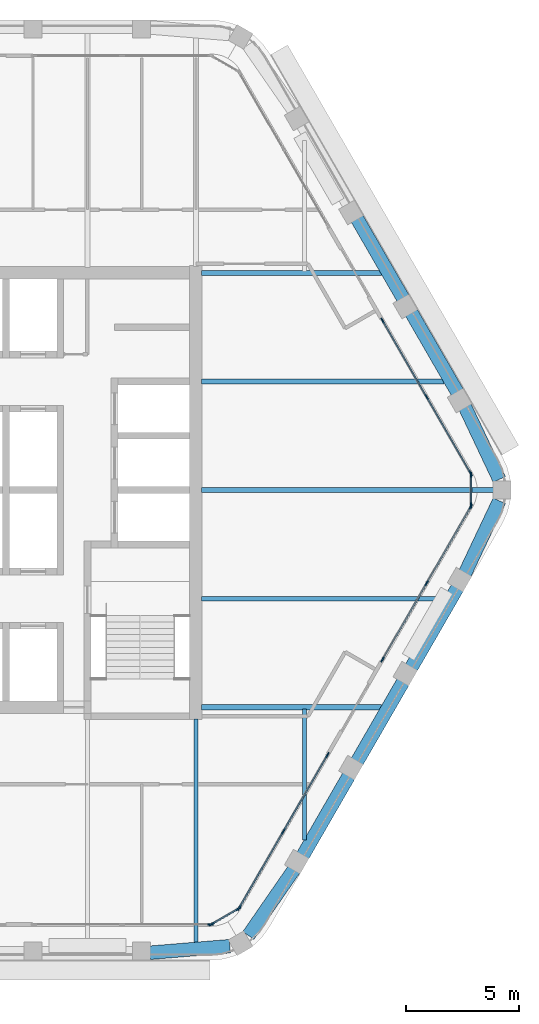
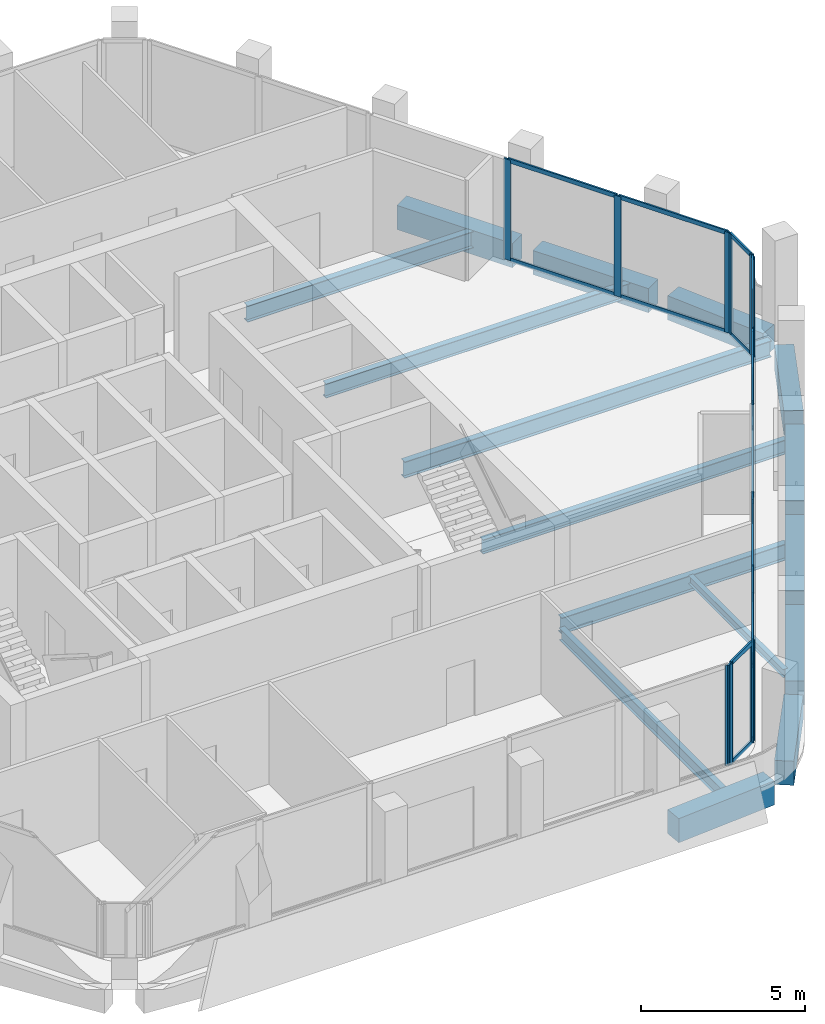
# One storey, part 4 of 13: 30 members, 16 beams, 6 elements without a shape of their own.
"""IFC4 building model written with IfcOpenShell, lengths in metres."""

from ifc_helpers import new_model, si_unit, direction, frame, origin, origin_2d, place, context, subcontext, project, spatial, rectangle, i_section, extrude, material, material_profile, profile_set, type_object, element, aggregate, save


model = new_model("IFC4")

# Units and contexts
model_context = context("Model", 3, precision=1e-05, world=origin(), true_north=direction((0.0, 1.0)))
body_context = subcontext(model_context, "Body", "Model", "MODEL_VIEW")
ifc_project = project(units=[si_unit("LENGTHUNIT", "METRE"), si_unit("AREAUNIT", "SQUARE_METRE"), si_unit("VOLUMEUNIT", "CUBIC_METRE"), si_unit("PLANEANGLEUNIT", "RADIAN"), si_unit("MASSUNIT", "GRAM", prefix="KILO")], contexts=[model_context])

# Site, building, storey
site_placement = place(None, origin())
site = spatial("IfcSite", under=ifc_project, at=site_placement, CompositionType="ELEMENT")
building_placement = place(site_placement, origin())
building = spatial("IfcBuilding", under=site, at=building_placement, Name="Kolab Exchange Tower", CompositionType="ELEMENT")
storey_placement = place(building_placement, frame((0.0, 0.0, 226.699951171875)))
storey = spatial("IfcBuildingStorey", under=building, at=storey_placement, Name="L49", CompositionType="ELEMENT", Elevation=226.699951171875)

# Beams
ifc_material_1 = material(Name="Steel S355", Category="steel")
ifc_material_profile_1 = material_profile(ifc_material_1, i_section(OverallWidth=0.1650390625, OverallDepth=0.31005859375, WebThickness=0.005859375, FlangeThickness=0.009765625, at=origin_2d()), Name="W310X39")
ifc_profile_set_1 = profile_set([ifc_material_profile_1], Name="Steel S355")
beam_type_1 = type_object("IfcBeamType", Name="FLOOR BEAM W310X39", PredefinedType="BEAM", material=ifc_profile_set_1)
beam_1_placement = place(storey_placement, frame((14.39990234375, -15.4677734375, -0.304931640625), z_axis=(0.0, 1.0, 0.0), x_axis=(-1.0, 0.0, 0.0)))
element("IfcBeam", 1, at=beam_1_placement, inside=storey, type_object=beam_type_1, Name="beam/L49/fr/018", PredefinedType="BEAM", context=body_context, shape_type="SweptSolid", body=[
    extrude(i_section(OverallWidth=0.1650390625, OverallDepth=0.31005859375, WebThickness=0.005859375, FlangeThickness=0.009765625, at=origin_2d()), origin(), (0.0, 0.0, 1.0), 5.793701171875),
])
ifc_material_profile_2 = material_profile(ifc_material_1, i_section(OverallWidth=0.18994140625, OverallDepth=0.45703125, WebThickness=0.009033203125, FlangeThickness=0.014404296875, at=origin_2d()), Name="W460X74")
ifc_profile_set_2 = profile_set([ifc_material_profile_2], Name="Steel S355")
beam_type_2 = type_object("IfcBeamType", Name="FLOOR BEAM W460X74", PredefinedType="BEAM", material=ifc_profile_set_2)
beam_2_placement = place(storey_placement, frame((9.60009765625, -20.027099609375, -0.37841796875), z_axis=(0.0, 1.0, 0.0), x_axis=(-1.0, 0.0, 0.0)))
element("IfcBeam", 2, at=beam_2_placement, inside=storey, type_object=beam_type_2, Name="beam/L49/fr/013", PredefinedType="BEAM", context=body_context, shape_type="SweptSolid", body=[
    extrude(i_section(OverallWidth=0.18994140625, OverallDepth=0.45703125, WebThickness=0.009033203125, FlangeThickness=0.014404296875, at=origin_2d()), origin(), (0.0, 0.0, 1.0), 9.9169921875),
])
ifc_material_profile_3 = material_profile(ifc_material_1, i_section(OverallWidth=0.208984375, OverallDepth=0.532958984375, WebThickness=0.01025390625, FlangeThickness=0.015625, at=origin_2d()), Name="W530X92")
ifc_profile_set_3 = profile_set([ifc_material_profile_3], Name="Steel S355")
beam_type_3 = type_object("IfcBeamType", Name="FLOOR BEAM W530X92", PredefinedType="BEAM", material=ifc_profile_set_3)
for number, where, z_axis, x_axis, name in (
    (3, (9.8349609375, -4.800048828125, -0.41650390625), (1.0, 0.0, 0.0), (0.0, 1.0, 0.0), "beam/L49/fr/015"),
    (4, (9.8349609375, 4.800048828125, -0.41650390625), (1.0, 0.0, 0.0), (0.0, 1.0, 0.0), "beam/L49/fr/017"),
):
    element("IfcBeam", number, at=place(storey_placement, frame(where, z_axis=z_axis, x_axis=x_axis)), inside=storey, type_object=beam_type_3, Name=name, PredefinedType="BEAM", context=body_context, shape_type="SweptSolid", body=[
        extrude(i_section(OverallWidth=0.208984375, OverallDepth=0.532958984375, WebThickness=0.01025390625, FlangeThickness=0.015625, at=origin_2d()), origin(), (0.0, 0.0, 1.0), 10.740966796875),
    ])
ifc_material_profile_4 = material_profile(ifc_material_1, i_section(OverallWidth=0.22802734375, OverallDepth=0.60791015625, WebThickness=0.01123046875, FlangeThickness=0.017333984375, at=origin_2d()), Name="W610X113")
ifc_profile_set_4 = profile_set([ifc_material_profile_4], Name="Steel S355")
beam_type_4 = type_object("IfcBeamType", Name="FLOOR BEAM W610X113", PredefinedType="BEAM", material=ifc_profile_set_4)
beam_3_placement = place(storey_placement, frame((9.8349609375, 0.0, -0.453857421875), z_axis=(1.0, 0.0, 0.0), x_axis=(0.0, 1.0, 0.0)))
element("IfcBeam", 5, at=beam_3_placement, inside=storey, type_object=beam_type_4, Name="beam/L49/fr/016", PredefinedType="BEAM", context=body_context, shape_type="SweptSolid", body=[
    extrude(i_section(OverallWidth=0.22802734375, OverallDepth=0.60791015625, WebThickness=0.01123046875, FlangeThickness=0.017333984375, at=origin_2d()), origin(), (0.0, 0.0, 1.0), 12.94091796875),
])
ifc_material_profile_5 = material_profile(ifc_material_1, i_section(OverallWidth=0.22802734375, OverallDepth=0.60791015625, WebThickness=0.01123046875, FlangeThickness=0.017333984375, at=origin_2d()), Name="W610X113")
ifc_profile_set_5 = profile_set([ifc_material_profile_5], Name="Steel S355")
beam_type_5 = type_object("IfcBeamType", Name="FLOOR GIRDER W610X113", PredefinedType="BEAM", material=ifc_profile_set_5)
for number, where, z_axis, x_axis, name in (
    (6, (9.8349609375, -9.60009765625, -0.453857421875), (1.0, 0.0, 0.0), (0.0, 1.0, 0.0), "beam/L49/gd/002"),
    (7, (9.8349609375, 9.60009765625, -0.453857421875), (1.0, 0.0, 0.0), (0.0, 1.0, 0.0), "beam/L49/gd/003"),
):
    element("IfcBeam", number, at=place(storey_placement, frame(where, z_axis=z_axis, x_axis=x_axis)), inside=storey, type_object=beam_type_5, Name=name, PredefinedType="BEAM", context=body_context, shape_type="SweptSolid", body=[
        extrude(i_section(OverallWidth=0.22802734375, OverallDepth=0.60791015625, WebThickness=0.01123046875, FlangeThickness=0.017333984375, at=origin_2d()), origin(), (0.0, 0.0, 1.0), 7.9697265625),
    ])
ifc_material_2 = material(Name="Concrete C50/60", Category="concrete")
ifc_material_profile_6 = material_profile(ifc_material_2, rectangle(XDim=0.60009765625, YDim=0.89990234375, at=origin_2d()), Name="RC600X900")
ifc_profile_set_6 = profile_set([ifc_material_profile_6], Name="Concrete C50/60")
beam_type_6 = type_object("IfcBeamType", Name="SPANDREL BEAM 600X900 C50/60", PredefinedType="BEAM", material=ifc_profile_set_6)
for number, where, z_axis, x_axis, name in (
    (8, (16.72021484375, 12.009033203125, -0.599853515625), (0.500000428765, -0.866025156237, 0.0), (0.866025156237, 0.500000428765, 0.0), "beam/L49/sp/F2-03"),
    (9, (19.1201171875, 7.85205078125, -0.599853515625), (0.500000428765, -0.866025156237, 0.0), (0.866025156237, 0.500000428765, 0.0), "beam/L49/sp/F2-04"),
):
    element("IfcBeam", number, at=place(storey_placement, frame(where, z_axis=z_axis, x_axis=x_axis)), inside=storey, type_object=beam_type_6, Name=name, PredefinedType="BEAM", context=body_context, shape_type="SweptSolid", body=[
        extrude(rectangle(XDim=0.60009765625, YDim=0.89990234375, at=origin_2d()), origin(), (0.0, 0.0, 1.0), 4.080078125),
    ])
for number, where, z_axis, x_axis, name in (
    (10, (21.49462890625, 3.68017578125, -0.599853515625), (0.427707770851, -0.903917066303, 0.0), (0.903917066303, 0.427707770851, 0.0), "beam/L49/sp/F2-05"),
    (11, (23.012451171875, -0.472412109375, -0.599853515625), (-0.427707770851, -0.903917066303, 0.0), (0.903917066303, -0.427707770851, 0.0), "beam/L49/sp/F3-01"),
):
    element("IfcBeam", number, at=place(storey_placement, frame(where, z_axis=z_axis, x_axis=x_axis)), inside=storey, type_object=beam_type_6, Name=name, PredefinedType="BEAM", context=body_context, shape_type="SweptSolid", body=[
        extrude(rectangle(XDim=0.60009765625, YDim=0.89990234375, at=origin_2d()), origin(), (0.0, 0.0, 1.0), 3.548828125),
    ])
for number, where, z_axis, x_axis, name in (
    (12, (21.16015625, -4.318603515625, -0.599853515625), (-0.500000428765, -0.866025156237, 0.0), (0.866025156237, -0.500000428765, 0.0), "beam/L49/sp/F3-02"),
    (13, (18.76025390625, -8.4755859375, -0.599853515625), (-0.500000428765, -0.866025156237, 0.0), (0.866025156237, -0.500000428765, 0.0), "beam/L49/sp/F3-03"),
):
    element("IfcBeam", number, at=place(storey_placement, frame(where, z_axis=z_axis, x_axis=x_axis)), inside=storey, type_object=beam_type_6, Name=name, PredefinedType="BEAM", context=body_context, shape_type="SweptSolid", body=[
        extrude(rectangle(XDim=0.60009765625, YDim=0.89990234375, at=origin_2d()), origin(), (0.0, 0.0, 1.0), 4.080078125),
    ])
beam_4_placement = place(storey_placement, frame((16.360107421875, -12.632568359375, -0.599853515625), z_axis=(-0.499955548806, -0.866051066172, 0.0), x_axis=(0.866051066172, -0.499955548806, 0.0)))
element("IfcBeam", 14, at=beam_4_placement, inside=storey, type_object=beam_type_6, Name="beam/L49/sp/F3-04", PredefinedType="BEAM", context=body_context, shape_type="SweptSolid", body=[
    extrude(rectangle(XDim=0.60009765625, YDim=0.89990234375, at=origin_2d()), origin(), (0.0, 0.0, 1.0), 4.079833984375),
])
for number, where, z_axis, x_axis, name in (
    (15, (13.9345703125, -16.77490234375, -0.599853515625), (-0.569016782231, -0.822325909564, 0.0), (0.822325909564, -0.569016782231, 0.0), "beam/L49/sp/F3-05"),
    (16, (11.09716796875, -20.16552734375, -0.599853515625), (-0.996666146873, -0.081587938307, 0.0), (0.081587938307, -0.996666146873, 0.0), "beam/L49/sp/F4-01"),
):
    element("IfcBeam", number, at=place(storey_placement, frame(where, z_axis=z_axis, x_axis=x_axis)), inside=storey, type_object=beam_type_6, Name=name, PredefinedType="BEAM", context=body_context, shape_type="SweptSolid", body=[
        extrude(rectangle(XDim=0.60009765625, YDim=0.89990234375, at=origin_2d()), origin(), (0.0, 0.0, 1.0), 3.548828125),
    ])

# Curtain wall, members
ifc_material_3 = material(Name="Aluminium EN AW-6063 T6", Category="aluminium")
curtain_wall_type = type_object("IfcCurtainWallType", Name="UNITISED HIGH ZONE CURTAIN WALL", PredefinedType="NOTDEFINED", material=ifc_material_3)
curtain_wall_1_placement = place(storey_placement, origin())
curtain_wall_1 = element("IfcCurtainWall", 17, at=curtain_wall_1_placement, inside=storey, type_object=curtain_wall_type, Name="cw/L49/F2-2", PredefinedType="NOTDEFINED")
ifc_material_profile_7 = material_profile(ifc_material_3, rectangle(XDim=0.06005859375, YDim=0.239990234375, at=origin_2d()), Name="RECT 60X240")
ifc_profile_set_7 = profile_set([ifc_material_profile_7], Name="Aluminium EN AW-6063 T6")
member_type_1 = type_object("IfcMemberType", Name="UNITISED HIGH ZONE MULLION 60 X 240", PredefinedType="MULLION", material=ifc_profile_set_7)
member_1_placement = place(storey_placement, frame((17.8466796875, 7.497802734375, 0.0), z_axis=(0.0, 0.0, 1.0), x_axis=(0.866025440524, 0.499999936366, 0.0)))
member_1 = element("IfcMember", 18, at=member_1_placement, type_object=member_type_1, Name="CW4 mullion 1", PredefinedType="MULLION", context=body_context, shape_type="SweptSolid", body=[
    extrude(rectangle(XDim=0.06005859375, YDim=0.239990234375, at=origin_2d()), origin(), (0.0, 0.0, 1.0), 3.75),
])
member_2_placement = place(storey_placement, frame((19.798583984375, 4.116943359375, 0.0), z_axis=(0.0, 0.0, 1.0), x_axis=(0.866025440524, 0.499999936366, 0.0)))
member_2 = element("IfcMember", 19, at=member_2_placement, type_object=member_type_1, Name="CW4 mullion 2", PredefinedType="MULLION", context=body_context, shape_type="SweptSolid", body=[
    extrude(rectangle(XDim=0.06005859375, YDim=0.239990234375, at=origin_2d()), origin(), (0.0, 0.0, 1.0), 3.75),
])
member_3_placement = place(storey_placement, frame((21.750732421875, 0.736083984375, 0.0), z_axis=(0.0, 0.0, 1.0), x_axis=(0.866025440524, 0.499999936366, 0.0)))
member_3 = element("IfcMember", 20, at=member_3_placement, type_object=member_type_1, Name="CW4 mullion 3", PredefinedType="MULLION", context=body_context, shape_type="SweptSolid", body=[
    extrude(rectangle(XDim=0.06005859375, YDim=0.239990234375, at=origin_2d()), origin(), (0.0, 0.0, 1.0), 3.75),
])

curtain_wall_2_placement = place(storey_placement, origin())
curtain_wall_2 = element("IfcCurtainWall", 21, at=curtain_wall_2_placement, inside=storey, type_object=curtain_wall_type, Name="cw/L49/F3-1", PredefinedType="NOTDEFINED")
member_4_placement = place(storey_placement, frame((21.750732421875, -0.736083984375, 0.0), z_axis=(0.0, 0.0, 1.0), x_axis=(0.866025440524, -0.499999936366, 0.0)))
member_4 = element("IfcMember", 22, at=member_4_placement, type_object=member_type_1, Name="CW4 mullion 1", PredefinedType="MULLION", context=body_context, shape_type="SweptSolid", body=[
    extrude(rectangle(XDim=0.06005859375, YDim=0.239990234375, at=origin_2d()), origin(), (0.0, 0.0, 1.0), 3.75),
])
member_5_placement = place(storey_placement, frame((19.798583984375, -4.116943359375, 0.0), z_axis=(0.0, 0.0, 1.0), x_axis=(0.866025440524, -0.499999936366, 0.0)))
member_5 = element("IfcMember", 23, at=member_5_placement, type_object=member_type_1, Name="CW4 mullion 2", PredefinedType="MULLION", context=body_context, shape_type="SweptSolid", body=[
    extrude(rectangle(XDim=0.06005859375, YDim=0.239990234375, at=origin_2d()), origin(), (0.0, 0.0, 1.0), 3.75),
])
member_6_placement = place(storey_placement, frame((17.8466796875, -7.497802734375, 0.0), z_axis=(0.0, 0.0, 1.0), x_axis=(0.866025440524, -0.499999936366, 0.0)))
member_6 = element("IfcMember", 24, at=member_6_placement, type_object=member_type_1, Name="CW4 mullion 3", PredefinedType="MULLION", context=body_context, shape_type="SweptSolid", body=[
    extrude(rectangle(XDim=0.06005859375, YDim=0.239990234375, at=origin_2d()), origin(), (0.0, 0.0, 1.0), 3.75),
])

curtain_wall_3_placement = place(storey_placement, origin())
curtain_wall_3 = element("IfcCurtainWall", 25, at=curtain_wall_3_placement, inside=storey, type_object=curtain_wall_type, Name="cw/L49/F3-2", PredefinedType="NOTDEFINED")
member_7_placement = place(storey_placement, frame((15.416748046875, -11.706787109375, 0.0), z_axis=(0.0, 0.0, 1.0), x_axis=(0.866025385493, -0.500000031681, 0.0)))
member_7 = element("IfcMember", 26, at=member_7_placement, type_object=member_type_1, Name="CW4 mullion 1", PredefinedType="MULLION", context=body_context, shape_type="SweptSolid", body=[
    extrude(rectangle(XDim=0.06005859375, YDim=0.239990234375, at=origin_2d()), origin(), (0.0, 0.0, 1.0), 3.75),
])
member_8_placement = place(storey_placement, frame((13.464599609375, -15.087646484375, 0.0), z_axis=(0.0, 0.0, 1.0), x_axis=(0.866025385493, -0.500000031681, 0.0)))
member_8 = element("IfcMember", 27, at=member_8_placement, type_object=member_type_1, Name="CW4 mullion 2", PredefinedType="MULLION", context=body_context, shape_type="SweptSolid", body=[
    extrude(rectangle(XDim=0.06005859375, YDim=0.239990234375, at=origin_2d()), origin(), (0.0, 0.0, 1.0), 3.75),
])
member_9_placement = place(storey_placement, frame((11.5126953125, -18.46875, 0.0), z_axis=(0.0, 0.0, 1.0), x_axis=(0.866025385493, -0.500000031681, 0.0)))
member_9 = element("IfcMember", 28, at=member_9_placement, type_object=member_type_1, Name="CW4 mullion 3", PredefinedType="MULLION", context=body_context, shape_type="SweptSolid", body=[
    extrude(rectangle(XDim=0.06005859375, YDim=0.239990234375, at=origin_2d()), origin(), (0.0, 0.0, 1.0), 3.75),
])

# Curtain wall, member
curtain_wall_4_placement = place(storey_placement, origin())
curtain_wall_4 = element("IfcCurtainWall", 29, at=curtain_wall_4_placement, inside=storey, type_object=curtain_wall_type, Name="cw/L49/F4-1", PredefinedType="NOTDEFINED")
member_10_placement = place(storey_placement, frame((10.238037109375, -19.20458984375, 0.0), z_axis=(0.0, 0.0, 1.0), x_axis=(0.0, -1.0, 0.0)))
member_10 = element("IfcMember", 30, at=member_10_placement, type_object=member_type_1, Name="CW4 mullion 1", PredefinedType="MULLION", context=body_context, shape_type="SweptSolid", body=[
    extrude(rectangle(XDim=0.06005859375, YDim=0.239990234375, at=origin_2d()), origin(), (0.0, 0.0, 1.0), 3.75),
])
aggregate(curtain_wall_4, [member_10])

# Curtain wall, members
curtain_wall_5_placement = place(storey_placement, origin())
curtain_wall_5 = element("IfcCurtainWall", 31, at=curtain_wall_5_placement, inside=storey, type_object=curtain_wall_type, Name="cw/L49/F2F3-corner", PredefinedType="NOTDEFINED")
member_11_placement = place(storey_placement, frame((21.765625, 0.679931640625, 0.0), z_axis=(0.0, 0.0, 1.0), x_axis=(1.0, 0.0, 0.0)))
member_11 = element("IfcMember", 32, at=member_11_placement, type_object=member_type_1, Name="CW4 mullion 1", PredefinedType="MULLION", context=body_context, shape_type="SweptSolid", body=[
    extrude(rectangle(XDim=0.06005859375, YDim=0.239990234375, at=origin_2d()), origin(), (0.0, 0.0, 1.0), 3.75),
])
member_12_placement = place(storey_placement, frame((21.765625, -0.679931640625, 0.0), z_axis=(0.0, 0.0, 1.0), x_axis=(1.0, 0.0, 0.0)))
member_12 = element("IfcMember", 33, at=member_12_placement, type_object=member_type_1, Name="CW4 mullion 2", PredefinedType="MULLION", context=body_context, shape_type="SweptSolid", body=[
    extrude(rectangle(XDim=0.06005859375, YDim=0.239990234375, at=origin_2d()), origin(), (0.0, 0.0, 1.0), 3.75),
])

curtain_wall_6_placement = place(storey_placement, origin())
curtain_wall_6 = element("IfcCurtainWall", 34, at=curtain_wall_6_placement, inside=storey, type_object=curtain_wall_type, Name="cw/L49/F3F4-corner", PredefinedType="NOTDEFINED")
member_13_placement = place(storey_placement, frame((11.4716796875, -18.509521484375, 0.0), z_axis=(0.0, 0.0, 1.0), x_axis=(0.50000002237, -0.866025390869, 0.0)))
member_13 = element("IfcMember", 35, at=member_13_placement, type_object=member_type_1, Name="CW4 mullion 1", PredefinedType="MULLION", context=body_context, shape_type="SweptSolid", body=[
    extrude(rectangle(XDim=0.06005859375, YDim=0.239990234375, at=origin_2d()), origin(), (0.0, 0.0, 1.0), 3.75),
])
member_14_placement = place(storey_placement, frame((10.2939453125, -19.189697265625, 0.0), z_axis=(0.0, 0.0, 1.0), x_axis=(0.50000002237, -0.866025390869, 0.0)))
member_14 = element("IfcMember", 36, at=member_14_placement, type_object=member_type_1, Name="CW4 mullion 2", PredefinedType="MULLION", context=body_context, shape_type="SweptSolid", body=[
    extrude(rectangle(XDim=0.06005859375, YDim=0.239990234375, at=origin_2d()), origin(), (0.0, 0.0, 1.0), 3.75),
])

# Member
ifc_material_profile_8 = material_profile(ifc_material_3, rectangle(XDim=0.06005859375, YDim=0.159912109375, at=origin_2d()), Name="RECT 60X160")
ifc_profile_set_8 = profile_set([ifc_material_profile_8], Name="Aluminium EN AW-6063 T6")
member_type_2 = type_object("IfcMemberType", Name="UNITISED HIGH ZONE TRANSOM 60 X 160", PredefinedType="USERDEFINED", material=ifc_profile_set_8)
member_15_placement = place(storey_placement, frame((17.861572265625, 7.471923828125, 0.030029296875), z_axis=(0.500011990396, -0.866018481016, 0.0), x_axis=(0.866018481016, 0.500011990396, 0.0)))
member_15 = element("IfcMember", 37, at=member_15_placement, type_object=member_type_2, Name="CW4 transom 1.1", ObjectType="TRANSOM", PredefinedType="USERDEFINED", context=body_context, shape_type="SweptSolid", body=[
    extrude(rectangle(XDim=0.06005859375, YDim=0.159912109375, at=origin_2d()), origin(), (0.0, 0.0, 1.0), 3.84423828125),
])

member_16_placement = place(storey_placement, frame((17.861572265625, 7.471923828125, 3.719970703125), z_axis=(0.500011990396, -0.866018481016, 0.0), x_axis=(0.866018481016, 0.500011990396, 0.0)))
member_16 = element("IfcMember", 38, at=member_16_placement, type_object=member_type_2, Name="CW4 transom 1.2", ObjectType="TRANSOM", PredefinedType="USERDEFINED", context=body_context, shape_type="SweptSolid", body=[
    extrude(rectangle(XDim=0.06005859375, YDim=0.159912109375, at=origin_2d()), origin(), (0.0, 0.0, 1.0), 3.84423828125),
])

member_17_placement = place(storey_placement, frame((19.813720703125, 4.0908203125, 0.030029296875), z_axis=(0.499991857942, -0.866030104553, 0.0), x_axis=(0.866030104553, 0.499991857942, 0.0)))
member_17 = element("IfcMember", 39, at=member_17_placement, type_object=member_type_2, Name="CW4 transom 2.1", ObjectType="TRANSOM", PredefinedType="USERDEFINED", context=body_context, shape_type="SweptSolid", body=[
    extrude(rectangle(XDim=0.06005859375, YDim=0.159912109375, at=origin_2d()), origin(), (0.0, 0.0, 1.0), 3.84375),
])

member_18_placement = place(storey_placement, frame((19.813720703125, 4.0908203125, 3.719970703125), z_axis=(0.499991857942, -0.866030104553, 0.0), x_axis=(0.866030104553, 0.499991857942, 0.0)))
member_18 = element("IfcMember", 40, at=member_18_placement, type_object=member_type_2, Name="CW4 transom 2.2", ObjectType="TRANSOM", PredefinedType="USERDEFINED", context=body_context, shape_type="SweptSolid", body=[
    extrude(rectangle(XDim=0.06005859375, YDim=0.159912109375, at=origin_2d()), origin(), (0.0, 0.0, 1.0), 3.84375),
])

aggregate(curtain_wall_1, [member_1, member_2, member_3, member_15, member_16, member_17, member_18])

member_19_placement = place(storey_placement, frame((21.735595703125, -0.761962890625, 0.030029296875), z_axis=(-0.499991857942, -0.866030104553, 0.0), x_axis=(0.866030104553, -0.499991857942, 0.0)))
member_19 = element("IfcMember", 41, at=member_19_placement, type_object=member_type_2, Name="CW4 transom 1.1", ObjectType="TRANSOM", PredefinedType="USERDEFINED", context=body_context, shape_type="SweptSolid", body=[
    extrude(rectangle(XDim=0.06005859375, YDim=0.159912109375, at=origin_2d()), origin(), (0.0, 0.0, 1.0), 3.84375),
])

member_20_placement = place(storey_placement, frame((21.735595703125, -0.761962890625, 3.719970703125), z_axis=(-0.499991857942, -0.866030104553, 0.0), x_axis=(0.866030104553, -0.499991857942, 0.0)))
member_20 = element("IfcMember", 42, at=member_20_placement, type_object=member_type_2, Name="CW4 transom 1.2", ObjectType="TRANSOM", PredefinedType="USERDEFINED", context=body_context, shape_type="SweptSolid", body=[
    extrude(rectangle(XDim=0.06005859375, YDim=0.159912109375, at=origin_2d()), origin(), (0.0, 0.0, 1.0), 3.84375),
])

member_21_placement = place(storey_placement, frame((19.78369140625, -4.142822265625, 0.030029296875), z_axis=(-0.500011990396, -0.866018481016, 0.0), x_axis=(0.866018481016, -0.500011990396, 0.0)))
member_21 = element("IfcMember", 43, at=member_21_placement, type_object=member_type_2, Name="CW4 transom 2.1", ObjectType="TRANSOM", PredefinedType="USERDEFINED", context=body_context, shape_type="SweptSolid", body=[
    extrude(rectangle(XDim=0.06005859375, YDim=0.159912109375, at=origin_2d()), origin(), (0.0, 0.0, 1.0), 3.84423828125),
])

member_22_placement = place(storey_placement, frame((19.78369140625, -4.142822265625, 3.719970703125), z_axis=(-0.500011990396, -0.866018481016, 0.0), x_axis=(0.866018481016, -0.500011990396, 0.0)))
member_22 = element("IfcMember", 44, at=member_22_placement, type_object=member_type_2, Name="CW4 transom 2.2", ObjectType="TRANSOM", PredefinedType="USERDEFINED", context=body_context, shape_type="SweptSolid", body=[
    extrude(rectangle(XDim=0.06005859375, YDim=0.159912109375, at=origin_2d()), origin(), (0.0, 0.0, 1.0), 3.84423828125),
])

aggregate(curtain_wall_2, [member_4, member_5, member_6, member_19, member_20, member_21, member_22])

member_23_placement = place(storey_placement, frame((15.401611328125, -11.732666015625, 0.030029296875), z_axis=(-0.499964356602, -0.866045981532, 0.0), x_axis=(0.866045981532, -0.499964356602, 0.0)))
member_23 = element("IfcMember", 45, at=member_23_placement, type_object=member_type_2, Name="CW4 transom 1.1", ObjectType="TRANSOM", PredefinedType="USERDEFINED", context=body_context, shape_type="SweptSolid", body=[
    extrude(rectangle(XDim=0.06005859375, YDim=0.159912109375, at=origin_2d()), origin(), (0.0, 0.0, 1.0), 3.843994140625),
])

member_24_placement = place(storey_placement, frame((15.401611328125, -11.732666015625, 3.719970703125), z_axis=(-0.499964356602, -0.866045981532, 0.0), x_axis=(0.866045981532, -0.499964356602, 0.0)))
member_24 = element("IfcMember", 46, at=member_24_placement, type_object=member_type_2, Name="CW4 transom 1.2", ObjectType="TRANSOM", PredefinedType="USERDEFINED", context=body_context, shape_type="SweptSolid", body=[
    extrude(rectangle(XDim=0.06005859375, YDim=0.159912109375, at=origin_2d()), origin(), (0.0, 0.0, 1.0), 3.843994140625),
])

member_25_placement = place(storey_placement, frame((13.44970703125, -15.11376953125, 0.030029296875), z_axis=(-0.500039492609, -0.866002601515, 0.0), x_axis=(0.866002601515, -0.500039492609, 0.0)))
member_25 = element("IfcMember", 47, at=member_25_placement, type_object=member_type_2, Name="CW4 transom 2.1", ObjectType="TRANSOM", PredefinedType="USERDEFINED", context=body_context, shape_type="SweptSolid", body=[
    extrude(rectangle(XDim=0.06005859375, YDim=0.159912109375, at=origin_2d()), origin(), (0.0, 0.0, 1.0), 3.843994140625),
])

member_26_placement = place(storey_placement, frame((13.44970703125, -15.11376953125, 3.719970703125), z_axis=(-0.500039492609, -0.866002601515, 0.0), x_axis=(0.866002601515, -0.500039492609, 0.0)))
member_26 = element("IfcMember", 48, at=member_26_placement, type_object=member_type_2, Name="CW4 transom 2.2", ObjectType="TRANSOM", PredefinedType="USERDEFINED", context=body_context, shape_type="SweptSolid", body=[
    extrude(rectangle(XDim=0.06005859375, YDim=0.159912109375, at=origin_2d()), origin(), (0.0, 0.0, 1.0), 3.843994140625),
])

aggregate(curtain_wall_3, [member_7, member_8, member_9, member_23, member_24, member_25, member_26])

member_27_placement = place(storey_placement, frame((21.765625, 0.64990234375, 0.030029296875), z_axis=(0.0, -1.0, 0.0), x_axis=(1.0, 0.0, 0.0)))
member_27 = element("IfcMember", 49, at=member_27_placement, type_object=member_type_2, Name="CW4 transom 1.1", ObjectType="TRANSOM", PredefinedType="USERDEFINED", context=body_context, shape_type="SweptSolid", body=[
    extrude(rectangle(XDim=0.06005859375, YDim=0.159912109375, at=origin_2d()), origin(), (0.0, 0.0, 1.0), 1.2998046875),
])

member_28_placement = place(storey_placement, frame((21.765625, 0.64990234375, 3.719970703125), z_axis=(0.0, -1.0, 0.0), x_axis=(1.0, 0.0, 0.0)))
member_28 = element("IfcMember", 50, at=member_28_placement, type_object=member_type_2, Name="CW4 transom 1.2", ObjectType="TRANSOM", PredefinedType="USERDEFINED", context=body_context, shape_type="SweptSolid", body=[
    extrude(rectangle(XDim=0.06005859375, YDim=0.159912109375, at=origin_2d()), origin(), (0.0, 0.0, 1.0), 1.2998046875),
])

aggregate(curtain_wall_5, [member_11, member_12, member_27, member_28])

member_29_placement = place(storey_placement, frame((11.44580078125, -18.524658203125, 0.030029296875), z_axis=(-0.866085525409, -0.49989585183, 0.0), x_axis=(0.49989585183, -0.866085525409, 0.0)))
member_29 = element("IfcMember", 51, at=member_29_placement, type_object=member_type_2, Name="CW4 transom 1.1", ObjectType="TRANSOM", PredefinedType="USERDEFINED", context=body_context, shape_type="SweptSolid", body=[
    extrude(rectangle(XDim=0.06005859375, YDim=0.159912109375, at=origin_2d()), origin(), (0.0, 0.0, 1.0), 1.300048828125),
])

member_30_placement = place(storey_placement, frame((11.44580078125, -18.524658203125, 3.719970703125), z_axis=(-0.866085525409, -0.49989585183, 0.0), x_axis=(0.49989585183, -0.866085525409, 0.0)))
member_30 = element("IfcMember", 52, at=member_30_placement, type_object=member_type_2, Name="CW4 transom 1.2", ObjectType="TRANSOM", PredefinedType="USERDEFINED", context=body_context, shape_type="SweptSolid", body=[
    extrude(rectangle(XDim=0.06005859375, YDim=0.159912109375, at=origin_2d()), origin(), (0.0, 0.0, 1.0), 1.300048828125),
])

aggregate(curtain_wall_6, [member_13, member_14, member_29, member_30])

save(model, "model.ifc")
